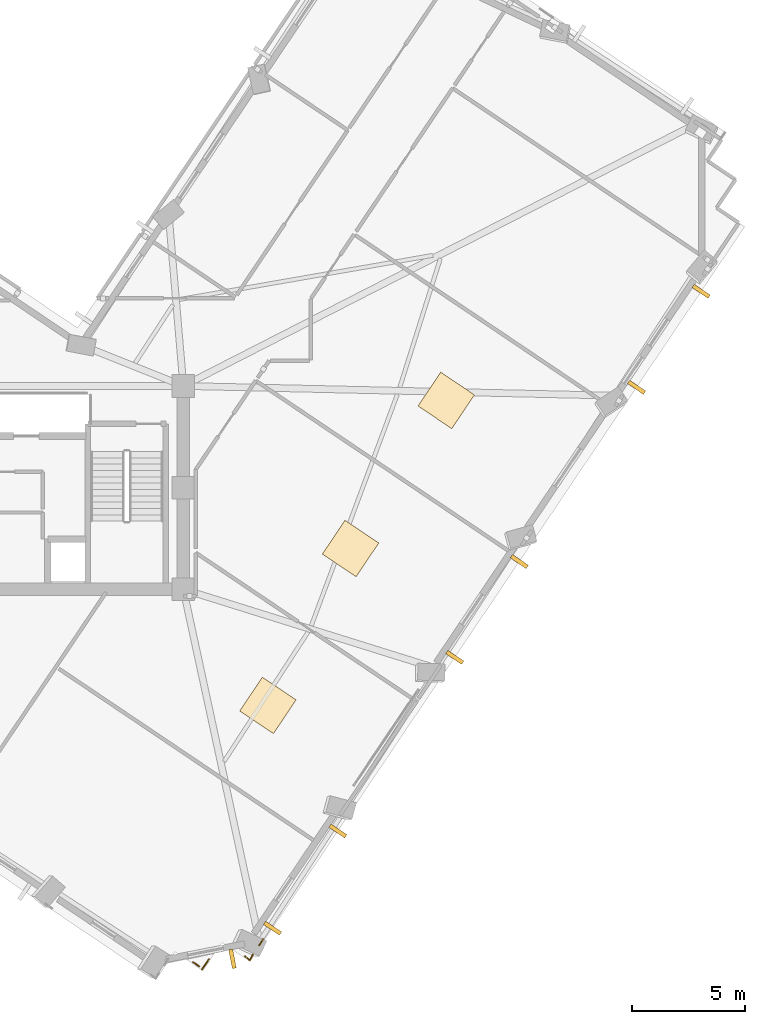
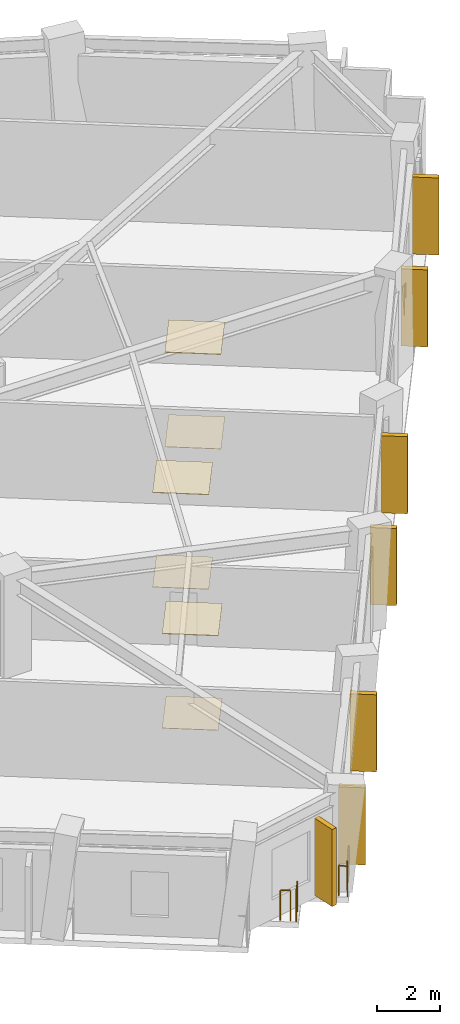
# One storey, part 12 of 14: 7 shading devices, 6 coverings, 4 railings.
"""IFC4 building model written with IfcOpenShell, lengths in metres."""

from ifc_helpers import new_model, si_unit, direction, frame, origin, origin_2d, place, context, subcontext, project, spatial, rectangle, circle, extrude, material, layer, layer_set, type_object, element, save


model = new_model("IFC4")

# Units and contexts
model_context = context("Model", 3, precision=1e-05, world=origin(), true_north=direction((0.0, 1.0)))
body_context = subcontext(model_context, "Body", "Model", "MODEL_VIEW")
ifc_project = project(units=[si_unit("LENGTHUNIT", "METRE"), si_unit("AREAUNIT", "SQUARE_METRE"), si_unit("VOLUMEUNIT", "CUBIC_METRE"), si_unit("PLANEANGLEUNIT", "RADIAN"), si_unit("MASSUNIT", "GRAM", prefix="KILO")], contexts=[model_context])

# Site, building, storey
site_placement = place(None, origin())
site = spatial("IfcSite", under=ifc_project, at=site_placement, CompositionType="ELEMENT")
building_placement = place(site_placement, origin())
building = spatial("IfcBuilding", under=site, at=building_placement, Name="Gaonmaruhae Medical Tower", CompositionType="ELEMENT")
storey_placement = place(building_placement, frame((0.0, 0.0, 263.199951171875)))
storey = spatial("IfcBuildingStorey", under=building, at=storey_placement, Name="L63", CompositionType="ELEMENT", Elevation=263.199951171875)

# Coverings
ifc_material_1 = material(Name="Acoustic mineral ceiling tile", Category="finish")
ifc_layer_1 = layer(ifc_material_1, 0.02490234375)
ifc_layer_set_1 = layer_set([ifc_layer_1], Name="Acoustic mineral ceiling tile")
covering_type_1 = type_object("IfcCoveringType", Name="CLG-01 Antimicrobial Acoustic Mineral Ceiling", PredefinedType="CEILING", material=ifc_layer_set_1)
for number, where, z_axis, x_axis, name in (
    (1, (39.341796875, 2.664794921875, 3.675048828125), (0.0, 0.0, 1.0), (0.558469218875, 0.829525244685, 0.0), "L63 Clinical Room Acoustic Ceiling 2"),
    (2, (42.998291015625, 9.606201171875, 3.675048828125), (0.0, 0.0, 1.0), (0.558469218875, 0.829525244685, 0.0), "L63 Clinical Room Acoustic Ceiling 3"),
    (3, (47.231689453125, 16.1591796875, 3.675048828125), (0.0, 0.0, 1.0), (0.558469218875, 0.829525244685, 0.0), "L63 Clinical Room Acoustic Ceiling 4"),
):
    element("IfcCovering", number, at=place(storey_placement, frame(where, z_axis=z_axis, x_axis=x_axis)), inside=storey, type_object=covering_type_1, Name=name, PredefinedType="CEILING", context=body_context, shape_type="SweptSolid", body=[
        extrude(rectangle(XDim=1.800048828125, YDim=1.800048828125, at=origin_2d()), origin(), (0.0, 0.0, 1.0), 0.02490234375),
    ])
ifc_material_2 = material(Name="Seamless clinical vinyl flooring", Category="finish")
ifc_layer_2 = layer(ifc_material_2, 0.014892578125)
ifc_layer_set_2 = layer_set([ifc_layer_2], Name="Seamless clinical vinyl flooring")
covering_type_2 = type_object("IfcCoveringType", Name="FLR-01 Seamless Clinical Antistatic Vinyl Flooring", PredefinedType="FLOORING", material=ifc_layer_set_2)
for number, where, z_axis, x_axis, name in (
    (4, (39.341796875, 2.664794921875, 0.0), (0.0, 0.0, 1.0), (0.558469218875, 0.829525244685, 0.0), "L63 Clinical Room Vinyl Flooring 2"),
    (5, (42.998291015625, 9.606201171875, 0.0), (0.0, 0.0, 1.0), (0.558469218875, 0.829525244685, 0.0), "L63 Clinical Room Vinyl Flooring 3"),
    (6, (47.231689453125, 16.1591796875, 0.0), (0.0, 0.0, 1.0), (0.558469218875, 0.829525244685, 0.0), "L63 Clinical Room Vinyl Flooring 4"),
):
    element("IfcCovering", number, at=place(storey_placement, frame(where, z_axis=z_axis, x_axis=x_axis)), inside=storey, type_object=covering_type_2, Name=name, PredefinedType="FLOORING", context=body_context, shape_type="SweptSolid", body=[
        extrude(rectangle(XDim=1.800048828125, YDim=1.800048828125, at=origin_2d()), origin(), (0.0, 0.0, 1.0), 0.014892578125),
    ])

# Railings
ifc_material_3 = material(Name="Stainless steel 316L and laminated safety glass", Category="steel")
ifc_layer_3 = layer(ifc_material_3, 0.080078125)
ifc_layer_set_3 = layer_set([ifc_layer_3], Name="Stainless steel 316L and laminated safety glass")
railing_type = type_object("IfcRailingType", Name="GD-120 Outdoor Terrace Safety Glass & Steel Balustrade", PredefinedType="BALUSTRADE", material=ifc_layer_set_3)
railing_1_placement = place(storey_placement, frame((39.140380859375, -7.6708984375, 0.0)))
element("IfcRailing", 7, at=railing_1_placement, inside=storey, type_object=railing_type, Name="L63 Perimeter Slab Edge Safety Balustrade 08", PredefinedType="BALUSTRADE", context=body_context, shape_type="SweptSolid", body=[
    extrude(circle(Radius=0.02392578125, at=origin_2d()), frame((0.0, 0.0, 1.17578125), z_axis=(-0.558509547504, -0.829498092431, 0.0), x_axis=(0.829498092431, -0.558509547504, 0.0)), (0.0, 0.0, 1.0), 0.339599609375),
    extrude(circle(Radius=0.02099609375, at=origin_2d()), origin(), (0.0, 0.0, 1.0), 1.15185546875),
    extrude(circle(Radius=0.02099609375, at=origin_2d()), frame((-0.189697265625, -0.28173828125, 0.0)), (0.0, 0.0, 1.0), 1.15185546875),
])
railing_2_placement = place(storey_placement, frame((36.7353515625, -8.5576171875, 0.0)))
element("IfcRailing", 8, at=railing_2_placement, inside=storey, type_object=railing_type, Name="L63 Perimeter Slab Edge Safety Balustrade 09", PredefinedType="BALUSTRADE", context=body_context, shape_type="SweptSolid", body=[
    extrude(circle(Radius=0.02392578125, at=origin_2d()), frame((0.0, 0.0, 1.17578125), z_axis=(-0.558416753726, -0.829560563888, 0.0), x_axis=(0.829560563888, -0.558416753726, 0.0)), (0.0, 0.0, 1.0), 0.56005859375),
    extrude(circle(Radius=0.02099609375, at=origin_2d()), origin(), (0.0, 0.0, 1.0), 1.15185546875),
    extrude(circle(Radius=0.02099609375, at=origin_2d()), frame((-0.312744140625, -0.464599609375, 0.0)), (0.0, 0.0, 1.0), 1.15185546875),
])
railing_3_placement = place(storey_placement, frame((36.29833984375, -8.87841796875, 0.0)))
element("IfcRailing", 9, at=railing_3_placement, inside=storey, type_object=railing_type, Name="L63 Perimeter Slab Edge Safety Balustrade 10", PredefinedType="BALUSTRADE", context=body_context, shape_type="SweptSolid", body=[
    extrude(circle(Radius=0.02392578125, at=origin_2d()), frame((0.0, 0.0, 1.17578125), z_axis=(-0.829047950345, 0.559177517456, 0.0), x_axis=(-0.559177517456, -0.829047950345, 0.0)), (0.0, 0.0, 1.0), 0.32666015625),
    extrude(circle(Radius=0.02099609375, at=origin_2d()), origin(), (0.0, 0.0, 1.0), 1.15185546875),
    extrude(circle(Radius=0.02099609375, at=origin_2d()), frame((-0.270751953125, 0.1826171875, 0.0)), (0.0, 0.0, 1.0), 1.15185546875),
])
railing_4_placement = place(storey_placement, frame((38.672119140625, -8.36669921875, 0.0)))
element("IfcRailing", 10, at=railing_4_placement, inside=storey, type_object=railing_type, Name="L63 Perimeter Corner Safety Balustrade 19", PredefinedType="BALUSTRADE", context=body_context, shape_type="SweptSolid", body=[
    extrude(circle(Radius=0.02392578125, at=origin_2d()), frame((0.0, 0.0, 1.17578125), z_axis=(-0.453326853617, -0.89134435758, 0.0), x_axis=(0.89134435758, -0.453326853617, 0.0)), (0.0, 0.0, 1.0), 0.287109375),
    extrude(circle(Radius=0.02392578125, at=origin_2d()), frame((-0.130126953125, -0.255859375, 1.17578125), z_axis=(-0.755099583838, 0.655610111643, 0.0), x_axis=(-0.655610111643, -0.755099583838, 0.0)), (0.0, 0.0, 1.0), 0.287109375),
    extrude(circle(Radius=0.02099609375, at=origin_2d()), origin(), (0.0, 0.0, 1.0), 1.15185546875),
    extrude(circle(Radius=0.02099609375, at=origin_2d()), frame((-0.130126953125, -0.255859375, 0.0)), (0.0, 0.0, 1.0), 1.15185546875),
    extrude(circle(Radius=0.02099609375, at=origin_2d()), frame((-0.346923828125, -0.067626953125, 0.0)), (0.0, 0.0, 1.0), 1.15185546875),
])

# Shading devices
ifc_material_4 = material(Name="Pigmented coral precast concrete C45/55", Category="concrete")
shading_device_type = type_object("IfcShadingDeviceType", Name="SD-FIN1 Tower Vertical Coral Precast Shading Fin", PredefinedType="USERDEFINED", material=ifc_material_4)
for number, where, z_axis, x_axis, name in (
    (11, (42.4365234375, -2.8916015625, 0.092529296875), (0.0, 0.0, 1.0), (-0.558469218875, -0.829525244685, 0.0), "L63 Vertical Coral Precast Shading Fin S01"),
    (12, (39.541015625, -7.1923828125, 0.092529296875), (0.0, 0.0, 1.0), (-0.558469218875, -0.829525244685, 0.0), "L63 Vertical Coral Precast Shading Fin S01B"),
    (13, (50.4638671875, 9.03173828125, 0.092529296875), (0.0, 0.0, 1.0), (-0.558469218875, -0.829525244685, 0.0), "L63 Vertical Coral Precast Shading Fin S03"),
    (14, (47.608154296875, 4.7900390625, 0.092529296875), (0.0, 0.0, 1.0), (-0.558469218875, -0.829525244685, 0.0), "L63 Vertical Coral Precast Shading Fin S03B"),
    (15, (58.51171875, 20.985595703125, 0.092529296875), (0.0, 0.0, 1.0), (-0.558469218875, -0.829525244685, 0.0), "L63 Vertical Coral Precast Shading Fin S05"),
    (16, (55.653076171875, 16.73974609375, 0.092529296875), (0.0, 0.0, 1.0), (-0.558469218875, -0.829525244685, 0.0), "L63 Vertical Coral Precast Shading Fin S05B"),
    (17, (37.775146484375, -8.549560546875, 0.092529296875), (0.0, 0.0, 1.0), (-0.981460297432, -0.191665553932, 0.0), "L63 Vertical Coral Precast Shading Fin W06"),
):
    element("IfcShadingDevice", number, at=place(storey_placement, frame(where, z_axis=z_axis, x_axis=x_axis)), inside=storey, type_object=shading_device_type, Name=name, ObjectType="FIN", PredefinedType="USERDEFINED", context=body_context, shape_type="SweptSolid", body=[
        extrude(rectangle(XDim=0.179931640625, YDim=0.85009765625, at=origin_2d()), origin(), (0.0, 0.0, 1.0), 3.0),
    ])

save(model, "model.ifc")
